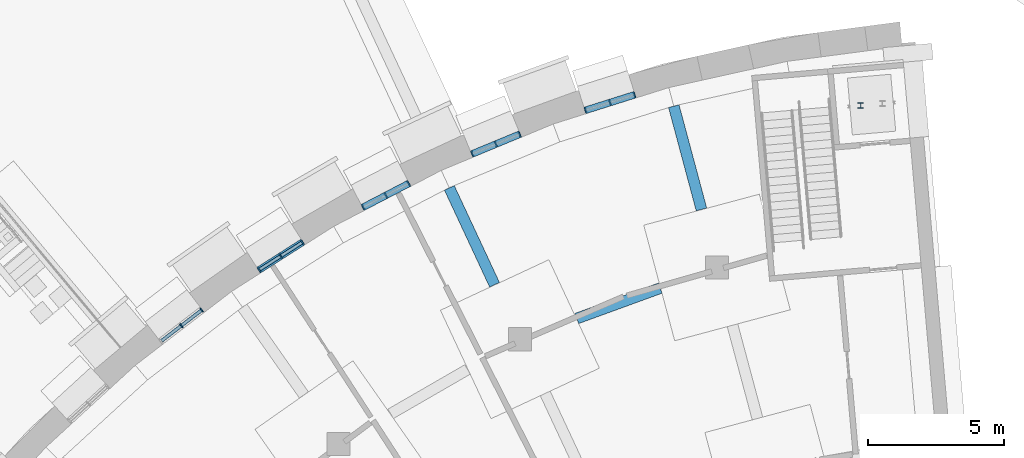
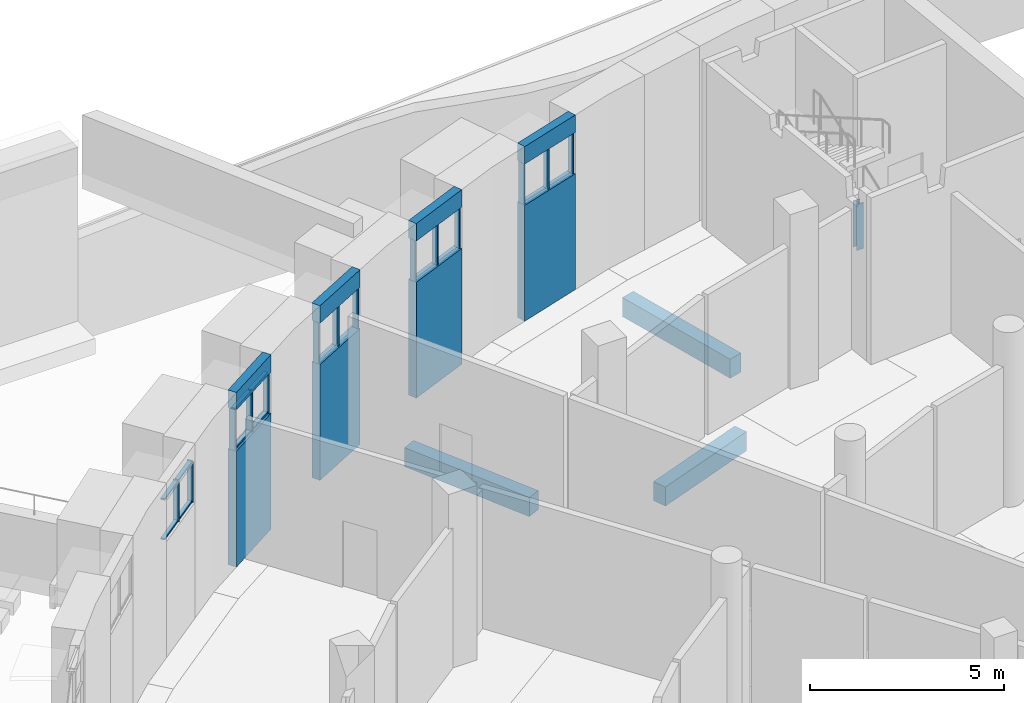
# One storey, part 24 of 65: 23 members, 11 beams, 5 elements without a shape of their own.
"""IFC4 building model written with IfcOpenShell, lengths in metres."""

from ifc_helpers import new_model, si_unit, direction, frame, origin, origin_2d, place, context, subcontext, project, spatial, rectangle, i_section, extrude, material, layer, layer_set, material_profile, profile_set, type_object, element, aggregate, save


model = new_model("IFC4")

# Units and contexts
model_context = context("Model", 3, precision=1e-05, world=origin(), true_north=direction((0.0, 1.0)))
body_context = subcontext(model_context, "Body", "Model", "MODEL_VIEW")
ifc_project = project(units=[si_unit("LENGTHUNIT", "METRE"), si_unit("AREAUNIT", "SQUARE_METRE"), si_unit("VOLUMEUNIT", "CUBIC_METRE"), si_unit("PLANEANGLEUNIT", "RADIAN"), si_unit("MASSUNIT", "GRAM", prefix="KILO")], contexts=[model_context])

# Site, building, storey
site_placement = place(None, origin())
site = spatial("IfcSite", under=ifc_project, at=site_placement, CompositionType="ELEMENT")
building_placement = place(site_placement, origin())
building = spatial("IfcBuilding", under=site, at=building_placement, Name="Volute Hill Aquarium", CompositionType="ELEMENT")
storey_placement = place(building_placement, frame((0.0, 0.0, -5.5)))
storey = spatial("IfcBuildingStorey", under=building, at=storey_placement, Name="L00", CompositionType="ELEMENT", Elevation=-5.5)

# Curtain wall, members
ifc_material_1 = material(Name="Aluminium", Category="aluminium")
ifc_layer = layer(ifc_material_1, 0.25)
ifc_layer_set = layer_set([ifc_layer], Name="Curtain wall niche S6 module 967")
curtain_wall_type = type_object("IfcCurtainWallType", Name="Curtain wall niche S6 module 967", PredefinedType="NOTDEFINED", material=ifc_layer_set)
curtain_wall_1_placement = place(storey_placement, origin())
curtain_wall_1 = element("IfcCurtainWall", 1, at=curtain_wall_1_placement, inside=storey, type_object=curtain_wall_type, Name="Curtain wall CW S6 L00 3", PredefinedType="NOTDEFINED")
ifc_material_2 = material(Name="Aluminium", Category="aluminium")
ifc_material_profile_1 = material_profile(ifc_material_2, rectangle(XDim=0.169921875, YDim=0.050048828125, at=origin_2d()), Name="Curtain wall mullion S6 50x170")
ifc_profile_set_1 = profile_set([ifc_material_profile_1], Name="Aluminium")
member_type_1 = type_object("IfcMemberType", Name="Curtain wall mullion S6 50x170", PredefinedType="MULLION", material=ifc_profile_set_1)
member_1_placement = place(storey_placement, frame((-14.49072265625, 49.090576171875, 3.64990234375), z_axis=(0.0, 0.0, 1.0), x_axis=(0.300706406582, -0.953716759337, 0.0)))
member_1 = element("IfcMember", 2, at=member_1_placement, type_object=member_type_1, Name="CW mullion 1", PredefinedType="MULLION", context=body_context, shape_type="SweptSolid", body=[
    extrude(rectangle(XDim=0.169921875, YDim=0.050048828125, at=origin_2d()), origin(), (0.0, 0.0, 1.0), 1.300048828125),
])
member_2_placement = place(storey_placement, frame((-15.388916015625, 48.807373046875, 3.64990234375), z_axis=(0.0, 0.0, 1.0), x_axis=(0.300706406582, -0.953716759337, 0.0)))
member_2 = element("IfcMember", 3, at=member_2_placement, type_object=member_type_1, Name="CW mullion 2", PredefinedType="MULLION", context=body_context, shape_type="SweptSolid", body=[
    extrude(rectangle(XDim=0.169921875, YDim=0.050048828125, at=origin_2d()), origin(), (0.0, 0.0, 1.0), 1.300048828125),
])
member_3_placement = place(storey_placement, frame((-16.287109375, 48.524169921875, 3.64990234375), z_axis=(0.0, 0.0, 1.0), x_axis=(0.300706406582, -0.953716759337, 0.0)))
member_3 = element("IfcMember", 4, at=member_3_placement, type_object=member_type_1, Name="CW mullion 3", PredefinedType="MULLION", context=body_context, shape_type="SweptSolid", body=[
    extrude(rectangle(XDim=0.169921875, YDim=0.050048828125, at=origin_2d()), origin(), (0.0, 0.0, 1.0), 1.300048828125),
])
aggregate(curtain_wall_1, [member_1, member_2, member_3])

curtain_wall_2_placement = place(storey_placement, origin())
curtain_wall_2 = element("IfcCurtainWall", 5, at=curtain_wall_2_placement, inside=storey, type_object=curtain_wall_type, Name="Curtain wall CW S6 L00 4", PredefinedType="NOTDEFINED")
member_4_placement = place(storey_placement, frame((-18.7138671875, 47.640869140625, 3.64990234375), z_axis=(0.0, 0.0, 1.0), x_axis=(0.382679860378, -0.923881012069, 0.0)))
member_4 = element("IfcMember", 6, at=member_4_placement, type_object=member_type_1, Name="CW mullion 1", PredefinedType="MULLION", context=body_context, shape_type="SweptSolid", body=[
    extrude(rectangle(XDim=0.169921875, YDim=0.050048828125, at=origin_2d()), origin(), (0.0, 0.0, 1.0), 1.300048828125),
])
member_5_placement = place(storey_placement, frame((-19.584228515625, 47.280517578125, 3.64990234375), z_axis=(0.0, 0.0, 1.0), x_axis=(0.382679860378, -0.923881012069, 0.0)))
member_5 = element("IfcMember", 7, at=member_5_placement, type_object=member_type_1, Name="CW mullion 2", PredefinedType="MULLION", context=body_context, shape_type="SweptSolid", body=[
    extrude(rectangle(XDim=0.169921875, YDim=0.050048828125, at=origin_2d()), origin(), (0.0, 0.0, 1.0), 1.300048828125),
])
member_6_placement = place(storey_placement, frame((-20.454345703125, 46.919921875, 3.64990234375), z_axis=(0.0, 0.0, 1.0), x_axis=(0.382679860378, -0.923881012069, 0.0)))
member_6 = element("IfcMember", 8, at=member_6_placement, type_object=member_type_1, Name="CW mullion 3", PredefinedType="MULLION", context=body_context, shape_type="SweptSolid", body=[
    extrude(rectangle(XDim=0.169921875, YDim=0.050048828125, at=origin_2d()), origin(), (0.0, 0.0, 1.0), 1.300048828125),
])
aggregate(curtain_wall_2, [member_4, member_5, member_6])

curtain_wall_3_placement = place(storey_placement, origin())
curtain_wall_3 = element("IfcCurtainWall", 9, at=curtain_wall_3_placement, inside=storey, type_object=curtain_wall_type, Name="Curtain wall CW S6 L00 5", PredefinedType="NOTDEFINED")
member_7_placement = place(storey_placement, frame((-22.794921875, 45.82861328125, 3.64990234375), z_axis=(0.0, 0.0, 1.0), x_axis=(0.461759580356, -0.88700512397, 0.0)))
member_7 = element("IfcMember", 10, at=member_7_placement, type_object=member_type_1, Name="CW mullion 1", PredefinedType="MULLION", context=body_context, shape_type="SweptSolid", body=[
    extrude(rectangle(XDim=0.169921875, YDim=0.050048828125, at=origin_2d()), origin(), (0.0, 0.0, 1.0), 1.300048828125),
])
member_8_placement = place(storey_placement, frame((-23.63037109375, 45.3935546875, 3.64990234375), z_axis=(0.0, 0.0, 1.0), x_axis=(0.461759580356, -0.88700512397, 0.0)))
member_8 = element("IfcMember", 11, at=member_8_placement, type_object=member_type_1, Name="CW mullion 2", PredefinedType="MULLION", context=body_context, shape_type="SweptSolid", body=[
    extrude(rectangle(XDim=0.169921875, YDim=0.050048828125, at=origin_2d()), origin(), (0.0, 0.0, 1.0), 1.300048828125),
])
member_9_placement = place(storey_placement, frame((-24.4658203125, 44.958740234375, 3.64990234375), z_axis=(0.0, 0.0, 1.0), x_axis=(0.461759580356, -0.88700512397, 0.0)))
member_9 = element("IfcMember", 12, at=member_9_placement, type_object=member_type_1, Name="CW mullion 3", PredefinedType="MULLION", context=body_context, shape_type="SweptSolid", body=[
    extrude(rectangle(XDim=0.169921875, YDim=0.050048828125, at=origin_2d()), origin(), (0.0, 0.0, 1.0), 1.300048828125),
])
aggregate(curtain_wall_3, [member_7, member_8, member_9])

curtain_wall_4_placement = place(storey_placement, origin())
curtain_wall_4 = element("IfcCurtainWall", 13, at=curtain_wall_4_placement, inside=storey, type_object=curtain_wall_type, Name="Curtain wall CW S6 L00 6", PredefinedType="NOTDEFINED")
member_10_placement = place(storey_placement, frame((-26.702392578125, 43.66748046875, 3.64990234375), z_axis=(0.0, 0.0, 1.0), x_axis=(0.537294689973, -0.843394579142, 0.0)))
member_10 = element("IfcMember", 14, at=member_10_placement, type_object=member_type_1, Name="CW mullion 1", PredefinedType="MULLION", context=body_context, shape_type="SweptSolid", body=[
    extrude(rectangle(XDim=0.169921875, YDim=0.050048828125, at=origin_2d()), origin(), (0.0, 0.0, 1.0), 1.300048828125),
])
member_11_placement = place(storey_placement, frame((-27.496826171875, 43.161376953125, 3.64990234375), z_axis=(0.0, 0.0, 1.0), x_axis=(0.537294689973, -0.843394579142, 0.0)))
member_11 = element("IfcMember", 15, at=member_11_placement, type_object=member_type_1, Name="CW mullion 2", PredefinedType="MULLION", context=body_context, shape_type="SweptSolid", body=[
    extrude(rectangle(XDim=0.169921875, YDim=0.050048828125, at=origin_2d()), origin(), (0.0, 0.0, 1.0), 1.300048828125),
])
member_12_placement = place(storey_placement, frame((-28.291259765625, 42.6552734375, 3.64990234375), z_axis=(0.0, 0.0, 1.0), x_axis=(0.537294689973, -0.843394579142, 0.0)))
member_12 = element("IfcMember", 16, at=member_12_placement, type_object=member_type_1, Name="CW mullion 3", PredefinedType="MULLION", context=body_context, shape_type="SweptSolid", body=[
    extrude(rectangle(XDim=0.169921875, YDim=0.050048828125, at=origin_2d()), origin(), (0.0, 0.0, 1.0), 1.300048828125),
])

curtain_wall_5_placement = place(storey_placement, origin())
curtain_wall_5 = element("IfcCurtainWall", 17, at=curtain_wall_5_placement, inside=storey, type_object=curtain_wall_type, Name="Curtain wall CW S6 L00 7", PredefinedType="NOTDEFINED")
member_13_placement = place(storey_placement, frame((-30.40673828125, 41.174072265625, 3.64990234375), z_axis=(0.0, 0.0, 1.0), x_axis=(0.608768681127, -0.793347775493, 0.0)))
member_13 = element("IfcMember", 18, at=member_13_placement, type_object=member_type_1, Name="CW mullion 1", PredefinedType="MULLION", context=body_context, shape_type="SweptSolid", body=[
    extrude(rectangle(XDim=0.169921875, YDim=0.050048828125, at=origin_2d()), origin(), (0.0, 0.0, 1.0), 1.300048828125),
])
member_14_placement = place(storey_placement, frame((-31.154052734375, 40.6005859375, 3.64990234375), z_axis=(0.0, 0.0, 1.0), x_axis=(0.608768681127, -0.793347775493, 0.0)))
member_14 = element("IfcMember", 19, at=member_14_placement, type_object=member_type_1, Name="CW mullion 2", PredefinedType="MULLION", context=body_context, shape_type="SweptSolid", body=[
    extrude(rectangle(XDim=0.169921875, YDim=0.050048828125, at=origin_2d()), origin(), (0.0, 0.0, 1.0), 1.300048828125),
])

# Member
ifc_material_3 = material(Name="Aluminium", Category="aluminium")
ifc_material_profile_2 = material_profile(ifc_material_3, rectangle(XDim=0.1201171875, YDim=0.050048828125, at=origin_2d()), Name="Curtain wall transom S6 50x120")
ifc_profile_set_2 = profile_set([ifc_material_profile_2], Name="Aluminium")
member_type_2 = type_object("IfcMemberType", Name="Curtain wall transom S6 50x120", PredefinedType="USERDEFINED", material=ifc_profile_set_2)
member_15_placement = place(storey_placement, frame((-26.7236328125, 43.654052734375, 3.675048828125), z_axis=(-0.843368307782, -0.537335926055, 0.0), x_axis=(0.537335926055, -0.843368307782, 0.0)))
member_15 = element("IfcMember", 20, at=member_15_placement, type_object=member_type_2, Name="CW transom 1.1", ObjectType="TRANSOM", PredefinedType="USERDEFINED", context=body_context, shape_type="SweptSolid", body=[
    extrude(rectangle(XDim=0.1201171875, YDim=0.050048828125, at=origin_2d()), origin(), (0.0, 0.0, 1.0), 0.891845703125),
])

member_16_placement = place(storey_placement, frame((-26.7236328125, 43.654052734375, 4.925048828125), z_axis=(-0.843368307782, -0.537335926055, 0.0), x_axis=(0.537335926055, -0.843368307782, 0.0)))
member_16 = element("IfcMember", 21, at=member_16_placement, type_object=member_type_2, Name="CW transom 1.2", ObjectType="TRANSOM", PredefinedType="USERDEFINED", context=body_context, shape_type="SweptSolid", body=[
    extrude(rectangle(XDim=0.1201171875, YDim=0.050048828125, at=origin_2d()), origin(), (0.0, 0.0, 1.0), 0.891845703125),
])

member_17_placement = place(storey_placement, frame((-27.517822265625, 43.14794921875, 3.675048828125), z_axis=(-0.843368307782, -0.537335926055, 0.0), x_axis=(0.537335926055, -0.843368307782, 0.0)))
member_17 = element("IfcMember", 22, at=member_17_placement, type_object=member_type_2, Name="CW transom 2.1", ObjectType="TRANSOM", PredefinedType="USERDEFINED", context=body_context, shape_type="SweptSolid", body=[
    extrude(rectangle(XDim=0.1201171875, YDim=0.050048828125, at=origin_2d()), origin(), (0.0, 0.0, 1.0), 0.891845703125),
])

member_18_placement = place(storey_placement, frame((-27.517822265625, 43.14794921875, 4.925048828125), z_axis=(-0.843368307782, -0.537335926055, 0.0), x_axis=(0.537335926055, -0.843368307782, 0.0)))
member_18 = element("IfcMember", 23, at=member_18_placement, type_object=member_type_2, Name="CW transom 2.2", ObjectType="TRANSOM", PredefinedType="USERDEFINED", context=body_context, shape_type="SweptSolid", body=[
    extrude(rectangle(XDim=0.1201171875, YDim=0.050048828125, at=origin_2d()), origin(), (0.0, 0.0, 1.0), 0.891845703125),
])

aggregate(curtain_wall_4, [member_10, member_11, member_12, member_15, member_16, member_17, member_18])

member_19_placement = place(storey_placement, frame((-30.426513671875, 41.15869140625, 3.675048828125), z_axis=(-0.793416906556, -0.608678578883, 0.0), x_axis=(0.608678578883, -0.793416906556, 0.0)))
member_19 = element("IfcMember", 24, at=member_19_placement, type_object=member_type_2, Name="CW transom 1.1", ObjectType="TRANSOM", PredefinedType="USERDEFINED", context=body_context, shape_type="SweptSolid", body=[
    extrude(rectangle(XDim=0.1201171875, YDim=0.050048828125, at=origin_2d()), origin(), (0.0, 0.0, 1.0), 0.89208984375),
])

member_20_placement = place(storey_placement, frame((-30.426513671875, 41.15869140625, 4.925048828125), z_axis=(-0.793416906556, -0.608678578883, 0.0), x_axis=(0.608678578883, -0.793416906556, 0.0)))
member_20 = element("IfcMember", 25, at=member_20_placement, type_object=member_type_2, Name="CW transom 1.2", ObjectType="TRANSOM", PredefinedType="USERDEFINED", context=body_context, shape_type="SweptSolid", body=[
    extrude(rectangle(XDim=0.1201171875, YDim=0.050048828125, at=origin_2d()), origin(), (0.0, 0.0, 1.0), 0.89208984375),
])

member_21_placement = place(storey_placement, frame((-31.173828125, 40.58544921875, 3.675048828125), z_axis=(-0.793315475548, -0.608810772125, 0.0), x_axis=(0.608810772125, -0.793315475548, 0.0)))
member_21 = element("IfcMember", 26, at=member_21_placement, type_object=member_type_2, Name="CW transom 2.1", ObjectType="TRANSOM", PredefinedType="USERDEFINED", context=body_context, shape_type="SweptSolid", body=[
    extrude(rectangle(XDim=0.1201171875, YDim=0.050048828125, at=origin_2d()), origin(), (0.0, 0.0, 1.0), 0.891845703125),
])

member_22_placement = place(storey_placement, frame((-31.173828125, 40.58544921875, 4.925048828125), z_axis=(-0.793315475548, -0.608810772125, 0.0), x_axis=(0.608810772125, -0.793315475548, 0.0)))
member_22 = element("IfcMember", 27, at=member_22_placement, type_object=member_type_2, Name="CW transom 2.2", ObjectType="TRANSOM", PredefinedType="USERDEFINED", context=body_context, shape_type="SweptSolid", body=[
    extrude(rectangle(XDim=0.1201171875, YDim=0.050048828125, at=origin_2d()), origin(), (0.0, 0.0, 1.0), 0.891845703125),
])

aggregate(curtain_wall_5, [member_13, member_14, member_19, member_20, member_21, member_22])

ifc_material_4 = material(Name="Steel S355", Category="steel")
ifc_material_profile_3 = material_profile(ifc_material_4, i_section(OverallWidth=0.199951171875, OverallDepth=0.199951171875, WebThickness=0.009033203125, FlangeThickness=0.014892578125, at=origin_2d()), Name="HEB 200")
ifc_profile_set_3 = profile_set([ifc_material_profile_3], Name="Steel S355")
member_type_3 = type_object("IfcMemberType", Name="Lift buffer HEB 200", PredefinedType="POST", material=ifc_profile_set_3)
member_23_placement = place(storey_placement, frame((-6.167724609375, 48.69775390625, -1.39990234375), z_axis=(0.0, 0.0, 1.0), x_axis=(1.0, 0.0, 0.0)))
element("IfcMember", 28, at=member_23_placement, inside=storey, type_object=member_type_3, Name="LB-S6-A 2", PredefinedType="POST", context=body_context, shape_type="SweptSolid", body=[
    extrude(i_section(OverallWidth=0.199951171875, OverallDepth=0.199951171875, WebThickness=0.009033203125, FlangeThickness=0.014892578125, at=origin_2d()), origin(), (0.0, 0.0, 1.0), 1.449951171875),
])

# Beams
ifc_material_5 = material(Name="Concrete C35/45", Category="concrete")
ifc_material_profile_4 = material_profile(ifc_material_5, rectangle(XDim=0.25, YDim=0.550048828125, at=origin_2d()), Name="RC beam 250x550")
ifc_profile_set_4 = profile_set([ifc_material_profile_4], Name="Concrete C35/45")
beam_type_1 = type_object("IfcBeamType", Name="Niche head beam RC 250x550 C35/45", PredefinedType="BEAM", material=ifc_profile_set_4)
for number, where, z_axis, x_axis, name in (
    (29, (-14.466796875, 49.09814453125, 5.22509765625), (-0.953708515851, -0.300732550272, 0.0), (0.300732550272, -0.953708515851, 0.0), "Niche head beam OWB S6 L00 3"),
    (30, (-18.69091796875, 47.650390625, 5.22509765625), (-0.923889122179, -0.382660280039, 0.0), (0.382660280039, -0.923889122179, 0.0), "Niche head beam OWB S6 L00 4"),
    (31, (-22.772705078125, 45.840087890625, 5.22509765625), (-0.887036898241, -0.461698539264, 0.0), (0.461698539264, -0.887036898241, 0.0), "Niche head beam OWB S6 L00 5"),
    (32, (-26.681396484375, 43.680908203125, 5.22509765625), (-0.843370239062, -0.537332894828, 0.0), (0.537332894828, -0.843370239062, 0.0), "Niche head beam OWB S6 L00 6"),
):
    element("IfcBeam", number, at=place(storey_placement, frame(where, z_axis=z_axis, x_axis=x_axis)), inside=storey, type_object=beam_type_1, Name=name, PredefinedType="BEAM", context=body_context, shape_type="SweptSolid", body=[
        extrude(rectangle(XDim=0.25, YDim=0.550048828125, at=origin_2d()), origin(), (0.0, 0.0, 1.0), 1.933837890625),
    ])
ifc_material_6 = material(Name="Concrete C35/45", Category="concrete")
ifc_material_profile_5 = material_profile(ifc_material_6, rectangle(XDim=0.25, YDim=3.64990234375, at=origin_2d()), Name="RC beam 250x3650")
ifc_profile_set_5 = profile_set([ifc_material_profile_5], Name="Concrete C35/45")
beam_type_2 = type_object("IfcBeamType", Name="Niche sill beam RC 250x3650 C35/45", PredefinedType="BEAM", material=ifc_profile_set_5)
for number, where, z_axis, x_axis, name in (
    (33, (-14.466796875, 49.09814453125, 1.824951171875), (-0.953708515851, -0.300732550272, 0.0), (0.300732550272, -0.953708515851, 0.0), "Niche sill beam OWB S6 L00 3"),
    (34, (-18.69091796875, 47.650390625, 1.824951171875), (-0.923889122179, -0.382660280039, 0.0), (0.382660280039, -0.923889122179, 0.0), "Niche sill beam OWB S6 L00 4"),
    (35, (-22.772705078125, 45.840087890625, 1.824951171875), (-0.887036898241, -0.461698539264, 0.0), (0.461698539264, -0.887036898241, 0.0), "Niche sill beam OWB S6 L00 5"),
    (36, (-26.681396484375, 43.680908203125, 1.824951171875), (-0.843370239062, -0.537332894828, 0.0), (0.537332894828, -0.843370239062, 0.0), "Niche sill beam OWB S6 L00 6"),
):
    element("IfcBeam", number, at=place(storey_placement, frame(where, z_axis=z_axis, x_axis=x_axis)), inside=storey, type_object=beam_type_2, Name=name, PredefinedType="BEAM", context=body_context, shape_type="SweptSolid", body=[
        extrude(rectangle(XDim=0.25, YDim=3.64990234375, at=origin_2d()), origin(), (0.0, 0.0, 1.0), 1.933837890625),
    ])
ifc_material_7 = material(Name="Concrete C30/37", Category="concrete")
ifc_material_profile_6 = material_profile(ifc_material_7, rectangle(XDim=0.39990234375, YDim=0.60009765625, at=origin_2d()), Name="RC tie beam 400x600")
ifc_profile_set_6 = profile_set([ifc_material_profile_6], Name="Concrete C30/37")
beam_type_3 = type_object("IfcBeamType", Name="Tie beam 400x600 C30/37", PredefinedType="BEAM", material=ifc_profile_set_6)
beam_placement = place(storey_placement, frame((-13.54443359375, 41.98095703125, -0.75), z_axis=(-0.939690656383, -0.34202554043, 0.0), x_axis=(0.34202554043, -0.939690656383, 0.0)))
element("IfcBeam", 37, at=beam_placement, inside=storey, type_object=beam_type_3, Name="tb/S6/L00/98", PredefinedType="BEAM", context=body_context, shape_type="SweptSolid", body=[
    extrude(rectangle(XDim=0.39990234375, YDim=0.60009765625, at=origin_2d()), origin(), (0.0, 0.0, 1.0), 3.261474609375),
])
for number, where, z_axis, x_axis, name in (
    (38, (-12.0244140625, 44.8759765625, -0.75), (-0.258790914612, 0.965933363392, 0.0), (-0.965933363392, -0.258790914612, 0.0), "tb/S6/L00/99"),
    (39, (-19.634521484375, 42.106201171875, -0.75), (-0.422582924128, 0.906324264398, 0.0), (-0.906324264398, -0.422582924128, 0.0), "tb/S6/L00/101"),
):
    element("IfcBeam", number, at=place(storey_placement, frame(where, z_axis=z_axis, x_axis=x_axis)), inside=storey, type_object=beam_type_3, Name=name, PredefinedType="BEAM", context=body_context, shape_type="SweptSolid", body=[
        extrude(rectangle(XDim=0.39990234375, YDim=0.60009765625, at=origin_2d()), origin(), (0.0, 0.0, 1.0), 3.93212890625),
    ])

save(model, "model.ifc")
